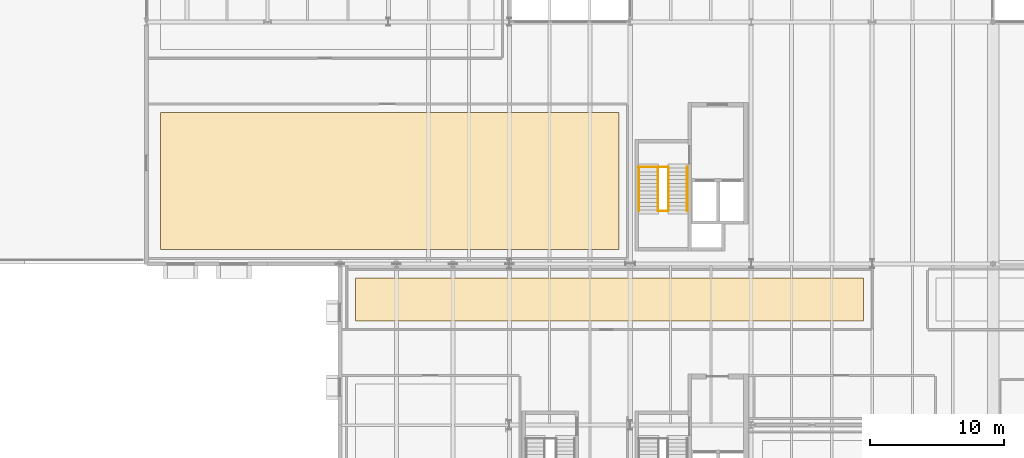
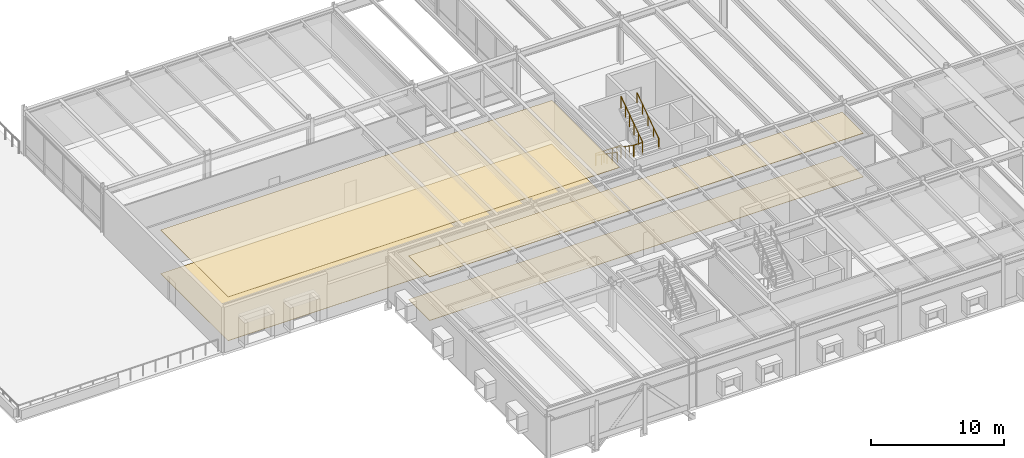
# One storey, part 120 of 127: 6 railings, 4 coverings.
"""IFC4 building model written with IfcOpenShell, lengths in metres."""

from ifc_helpers import new_model, si_unit, direction, frame, origin, origin_2d, place, context, subcontext, project, spatial, polyline, circle, outline, extrude, material, layer, layer_set, type_object, element, save


model = new_model("IFC4")

# Units and contexts
model_context = context("Model", 3, precision=1e-05, world=origin(), true_north=direction((0.0, 1.0)))
body_context = subcontext(model_context, "Body", "Model", "MODEL_VIEW")
ifc_project = project(units=[si_unit("LENGTHUNIT", "METRE"), si_unit("AREAUNIT", "SQUARE_METRE"), si_unit("VOLUMEUNIT", "CUBIC_METRE"), si_unit("PLANEANGLEUNIT", "RADIAN"), si_unit("MASSUNIT", "GRAM", prefix="KILO")], contexts=[model_context])

# Site, building, storey
site_placement = place(None, origin())
site = spatial("IfcSite", under=ifc_project, at=site_placement, CompositionType="ELEMENT")
building_placement = place(site_placement, origin())
building = spatial("IfcBuilding", under=site, at=building_placement, Name="Montelvaro Courts of Justice", CompositionType="ELEMENT")
storey_placement = place(building_placement, frame((0.0, 0.0, 5.39990234375)))
storey = spatial("IfcBuildingStorey", under=building, at=storey_placement, Name="L01", CompositionType="ELEMENT", Elevation=5.39990234375)

# Coverings
ifc_material_1 = material(Name="Perforated acoustic gypsum ceiling")
ifc_layer_1 = layer(ifc_material_1, 0.0400390625)
ifc_layer_set_1 = layer_set([ifc_layer_1], Name="Perforated acoustic gypsum ceiling")
covering_type_1 = type_object("IfcCoveringType", Name="AcousticCeiling_Court", PredefinedType="CEILING", material=ifc_layer_set_1)
covering_1_placement = place(storey_placement, frame((0.0, 0.0, 4.02001953125)))
element("IfcCovering", 1, at=covering_1_placement, inside=storey, type_object=covering_type_1, Name="Acoustic Ceiling Panel AC-01 (L01-22)", PredefinedType="CEILING", context=body_context, shape_type="SweptSolid", body=[
    extrude(outline(polyline([(19.050048828125, 25.050048828125), (19.050048828125, 35.25), (53.14990234375, 35.25), (53.14990234375, 25.050048828125), (19.050048828125, 25.050048828125)])), origin(), (0.0, 0.0, 1.0), 0.0400390625),
])
covering_2_placement = place(storey_placement, frame((0.0, 0.0, 4.02001953125)))
element("IfcCovering", 2, at=covering_2_placement, inside=storey, type_object=covering_type_1, Name="Acoustic Ceiling Panel AC-01 (L01-31)", PredefinedType="CEILING", context=body_context, shape_type="SweptSolid", body=[
    extrude(outline(polyline([(33.550048828125, 22.949951171875), (71.35009765625, 22.949951171875), (71.35009765625, 19.75), (33.550048828125, 19.75), (33.550048828125, 22.949951171875)])), origin(), (0.0, 0.0, 1.0), 0.0400390625),
])

# Railings
ifc_material_2 = material(Name="Steel S355", Category="steel")
railing_type_1 = type_object("IfcRailingType", Name="InteriorGuard_1100", PredefinedType="BALUSTRADE", material=ifc_material_2)
railing_1_placement = place(storey_placement, frame((54.60009765625, 31.199951171875, 0.0)))
element("IfcRailing", 3, at=railing_1_placement, inside=storey, type_object=railing_type_1, Name="Stair Well Guard GR-02 ST-W1-L00-TLG", PredefinedType="BALUSTRADE", context=body_context, shape_type="SweptSolid", body=[
    extrude(circle(Radius=0.02392578125, at=origin_2d()), frame((0.0, 0.0, 1.076171875), z_axis=(1.0, 0.0, 0.0), x_axis=(0.0, 1.0, 0.0)), (0.0, 0.0, 1.0), 2.239990234375),
    extrude(circle(Radius=0.02099609375, at=origin_2d()), origin(), (0.0, 0.0, 1.0), 1.052001953125),
    extrude(circle(Radius=0.02099609375, at=origin_2d()), frame((0.74658203125, 0.0, 0.0)), (0.0, 0.0, 1.0), 1.052001953125),
    extrude(circle(Radius=0.02099609375, at=origin_2d()), frame((1.493408203125, 0.0, 0.0)), (0.0, 0.0, 1.0), 1.052001953125),
    extrude(circle(Radius=0.02099609375, at=origin_2d()), frame((2.239990234375, 0.0, 0.0)), (0.0, 0.0, 1.0), 1.052001953125),
])
railing_2_placement = place(storey_placement, frame((56.06005859375, 31.199951171875, 0.0)))
element("IfcRailing", 4, at=railing_2_placement, inside=storey, type_object=railing_type_1, Name="Stair Well Guard GR-02 ST-W1-L01-F1G", PredefinedType="BALUSTRADE", context=body_context, shape_type="SweptSolid", body=[
    extrude(circle(Radius=0.02392578125, at=origin_2d()), frame((0.0, 0.0, 1.076171875), z_axis=(0.0, -0.823407228882, 0.567450910146), x_axis=(1.0, 0.0, 0.0)), (0.0, 0.0, 1.0), 3.965087890625),
    extrude(circle(Radius=0.02099609375, at=origin_2d()), origin(), (0.0, 0.0, 1.0), 1.052001953125),
    extrude(circle(Radius=0.02099609375, at=origin_2d()), frame((0.0, -0.653076171875, 0.449951171875)), (0.0, 0.0, 1.0), 1.052001953125),
    extrude(circle(Radius=0.02099609375, at=origin_2d()), frame((0.0, -1.305908203125, 0.89990234375)), (0.0, 0.0, 1.0), 1.052001953125),
    extrude(circle(Radius=0.02099609375, at=origin_2d()), frame((0.0, -1.958984375, 1.35009765625)), (0.0, 0.0, 1.0), 1.052001953125),
    extrude(circle(Radius=0.02099609375, at=origin_2d()), frame((0.0, -2.61181640625, 1.800048828125)), (0.0, 0.0, 1.0), 1.052001953125),
    extrude(circle(Radius=0.02099609375, at=origin_2d()), frame((0.0, -3.264892578125, 2.25)), (0.0, 0.0, 1.0), 1.052001953125),
])
railing_3_placement = place(storey_placement, frame((56.840087890625, 27.93505859375, 2.25)))
element("IfcRailing", 5, at=railing_3_placement, inside=storey, type_object=railing_type_1, Name="Stair Well Guard GR-02 ST-W1-L01-F2G", PredefinedType="BALUSTRADE", context=body_context, shape_type="SweptSolid", body=[
    extrude(circle(Radius=0.02392578125, at=origin_2d()), frame((0.0, 0.0, 1.076171875), z_axis=(0.0, 0.823407228882, 0.567450910146), x_axis=(-1.0, 0.0, 0.0)), (0.0, 0.0, 1.0), 3.965087890625),
    extrude(circle(Radius=0.02099609375, at=origin_2d()), origin(), (0.0, 0.0, 1.0), 1.052001953125),
    extrude(circle(Radius=0.02099609375, at=origin_2d()), frame((0.0, 0.653076171875, 0.449951171875)), (0.0, 0.0, 1.0), 1.052001953125),
    extrude(circle(Radius=0.02099609375, at=origin_2d()), frame((0.0, 1.305908203125, 0.89990234375)), (0.0, 0.0, 1.0), 1.052001953125),
    extrude(circle(Radius=0.02099609375, at=origin_2d()), frame((0.0, 1.958984375, 1.35009765625)), (0.0, 0.0, 1.0), 1.052001953125),
    extrude(circle(Radius=0.02099609375, at=origin_2d()), frame((0.0, 2.61181640625, 1.800048828125)), (0.0, 0.0, 1.0), 1.052001953125),
    extrude(circle(Radius=0.02099609375, at=origin_2d()), frame((0.0, 3.264892578125, 2.25)), (0.0, 0.0, 1.0), 1.052001953125),
])
railing_4_placement = place(storey_placement, frame((56.06005859375, 27.93505859375, 2.25)))
element("IfcRailing", 6, at=railing_4_placement, inside=storey, type_object=railing_type_1, Name="Stair Well Guard GR-02 ST-W1-L01-MLG", PredefinedType="BALUSTRADE", context=body_context, shape_type="SweptSolid", body=[
    extrude(circle(Radius=0.02392578125, at=origin_2d()), frame((0.0, 0.0, 1.076171875), z_axis=(1.0, 0.0, 0.0), x_axis=(0.0, 1.0, 0.0)), (0.0, 0.0, 1.0), 0.780029296875),
    extrude(circle(Radius=0.02099609375, at=origin_2d()), origin(), (0.0, 0.0, 1.0), 1.052001953125),
    extrude(circle(Radius=0.02099609375, at=origin_2d()), frame((0.780029296875, 0.0, 0.0)), (0.0, 0.0, 1.0), 1.052001953125),
])

# Coverings
ifc_material_3 = material(Name="Alicante limestone judicial flooring", Category="masonry")
ifc_layer_2 = layer(ifc_material_3, 0.030029296875)
ifc_layer_set_2 = layer_set([ifc_layer_2], Name="Alicante limestone judicial flooring")
covering_type_2 = type_object("IfcCoveringType", Name="JudicialStoneFlooring", PredefinedType="FLOORING", material=ifc_layer_set_2)
covering_3_placement = place(storey_placement, origin())
element("IfcCovering", 7, at=covering_3_placement, inside=storey, type_object=covering_type_2, Name="Judicial Stone Flooring FLR-01 (L01-22)", PredefinedType="FLOORING", context=body_context, shape_type="SweptSolid", body=[
    extrude(outline(polyline([(19.050048828125, 25.050048828125), (19.050048828125, 35.25), (53.14990234375, 35.25), (53.14990234375, 25.050048828125), (19.050048828125, 25.050048828125)])), origin(), (0.0, 0.0, 1.0), 0.030029296875),
])
covering_4_placement = place(storey_placement, origin())
element("IfcCovering", 8, at=covering_4_placement, inside=storey, type_object=covering_type_2, Name="Judicial Stone Flooring FLR-01 (L01-31)", PredefinedType="FLOORING", context=body_context, shape_type="SweptSolid", body=[
    extrude(outline(polyline([(33.550048828125, 22.949951171875), (71.35009765625, 22.949951171875), (71.35009765625, 19.75), (33.550048828125, 19.75), (33.550048828125, 22.949951171875)])), origin(), (0.0, 0.0, 1.0), 0.030029296875),
])

# Railings
ifc_material_4 = material(Name="Austenitic stainless steel EN 1.4401", Category="steel")
railing_type_2 = type_object("IfcRailingType", Name="StairHandrail_950", PredefinedType="HANDRAIL", material=ifc_material_4)
railing_5_placement = place(storey_placement, frame((54.659912109375, 31.199951171875, 0.0)))
element("IfcRailing", 9, at=railing_5_placement, inside=storey, type_object=railing_type_2, Name="Stair Pitch Handrail HR-01 ST-W1-L01-F1H", PredefinedType="HANDRAIL", context=body_context, shape_type="SweptSolid", body=[
    extrude(circle(Radius=0.02392578125, at=origin_2d()), frame((0.0, 0.0, 0.92578125), z_axis=(0.0, -0.823407228882, 0.567450910146), x_axis=(1.0, 0.0, 0.0)), (0.0, 0.0, 1.0), 3.965087890625),
    extrude(circle(Radius=0.02099609375, at=origin_2d()), origin(), (0.0, 0.0, 1.0), 0.90185546875),
    extrude(circle(Radius=0.02099609375, at=origin_2d()), frame((0.0, -0.816162109375, 0.5625)), (0.0, 0.0, 1.0), 0.90185546875),
    extrude(circle(Radius=0.02099609375, at=origin_2d()), frame((0.0, -1.63232421875, 1.125)), (0.0, 0.0, 1.0), 0.90185546875),
    extrude(circle(Radius=0.02099609375, at=origin_2d()), frame((0.0, -2.44873046875, 1.6875)), (0.0, 0.0, 1.0), 0.90185546875),
    extrude(circle(Radius=0.02099609375, at=origin_2d()), frame((0.0, -3.264892578125, 2.25)), (0.0, 0.0, 1.0), 0.90185546875),
])
railing_6_placement = place(storey_placement, frame((58.239990234375, 27.93505859375, 2.25)))
element("IfcRailing", 10, at=railing_6_placement, inside=storey, type_object=railing_type_2, Name="Stair Pitch Handrail HR-01 ST-W1-L01-F2H", PredefinedType="HANDRAIL", context=body_context, shape_type="SweptSolid", body=[
    extrude(circle(Radius=0.02392578125, at=origin_2d()), frame((0.0, 0.0, 0.92578125), z_axis=(0.0, 0.823407228882, 0.567450910146), x_axis=(-1.0, 0.0, 0.0)), (0.0, 0.0, 1.0), 3.965087890625),
    extrude(circle(Radius=0.02099609375, at=origin_2d()), origin(), (0.0, 0.0, 1.0), 0.90185546875),
    extrude(circle(Radius=0.02099609375, at=origin_2d()), frame((0.0, 0.816162109375, 0.5625)), (0.0, 0.0, 1.0), 0.90185546875),
    extrude(circle(Radius=0.02099609375, at=origin_2d()), frame((0.0, 1.63232421875, 1.125)), (0.0, 0.0, 1.0), 0.90185546875),
    extrude(circle(Radius=0.02099609375, at=origin_2d()), frame((0.0, 2.44873046875, 1.6875)), (0.0, 0.0, 1.0), 0.90185546875),
    extrude(circle(Radius=0.02099609375, at=origin_2d()), frame((0.0, 3.264892578125, 2.25)), (0.0, 0.0, 1.0), 0.90185546875),
])

save(model, "model.ifc")
